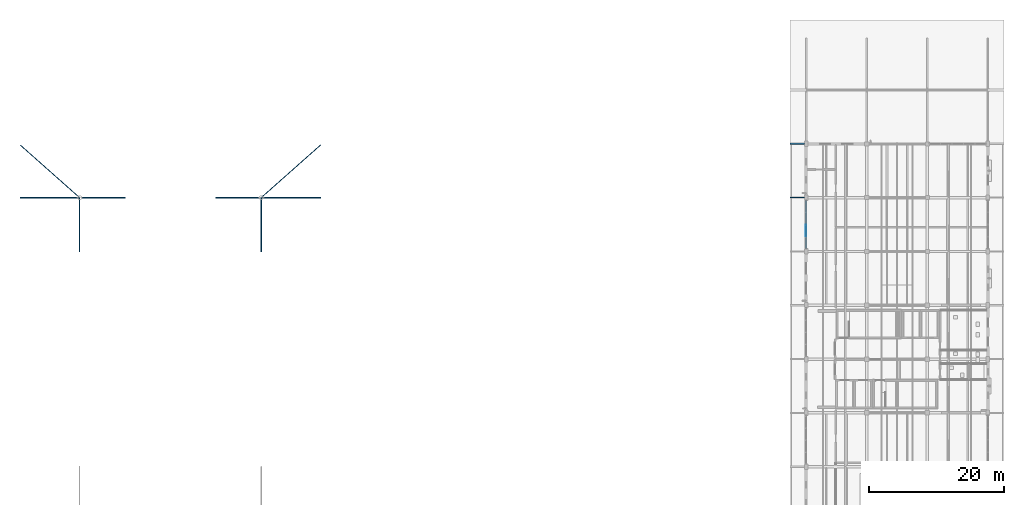
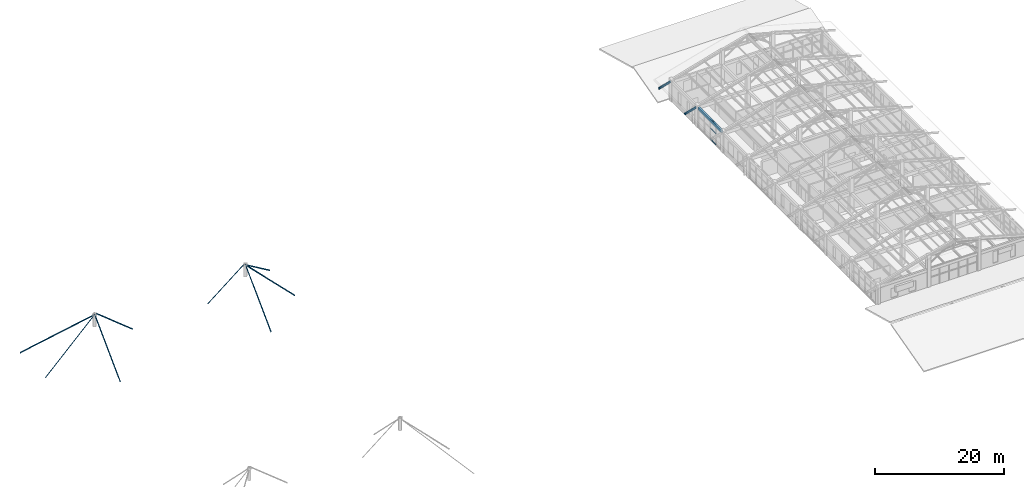
# One storey, part 24 of 58: 11 members, 3 beams, 1 element without a shape of its own.
"""IFC4 building model written with IfcOpenShell, lengths in metres."""

from ifc_helpers import new_model, si_unit, derived_unit, direction, frame, origin, origin_2d, place, context, subcontext, project, spatial, rectangle, hollow_rectangle, hollow_circle, i_section, extrude, material, material_profile, profile_set, type_object, element, aggregate, save


model = new_model("IFC4")

# Units and contexts
model_context = context("Model", 3, precision=1e-05, world=origin(), true_north=direction((0.0, 1.0)))
body_context = subcontext(model_context, "Body", "Model", "MODEL_VIEW")
ifc_project = project(units=[si_unit("LENGTHUNIT", "METRE"), si_unit("AREAUNIT", "SQUARE_METRE"), si_unit("VOLUMEUNIT", "CUBIC_METRE"), si_unit("PLANEANGLEUNIT", "RADIAN"), si_unit("MASSUNIT", "GRAM", prefix="KILO"), derived_unit("THERMALTRANSMITTANCEUNIT", [(si_unit("MASSUNIT", "GRAM", prefix="KILO"), 1), (si_unit("TIMEUNIT", "SECOND"), -3), (si_unit("THERMODYNAMICTEMPERATUREUNIT", "KELVIN"), -1)])], contexts=[model_context])

# Site, building, storey
site_placement = place(None, origin())
site = spatial("IfcSite", under=ifc_project, at=site_placement, CompositionType="ELEMENT")
building_placement = place(site_placement, origin())
building = spatial("IfcBuilding", under=site, at=building_placement, Name="Zhenchuan Archway Interchange", CompositionType="ELEMENT")
storey_placement = place(building_placement, frame((0.0, 0.0, 22.800048828125)))
storey = spatial("IfcBuildingStorey", under=building, at=storey_placement, Name="L05", CompositionType="ELEMENT", Elevation=22.800048828125)

# Beams
ifc_material_1 = material(Name="Steel Q355", Category="steel")
ifc_material_profile_1 = material_profile(ifc_material_1, i_section(OverallWidth=0.175048828125, OverallDepth=0.35009765625, WebThickness=0.007080078125, FlangeThickness=0.010986328125, FilletRadius=0.013916015625, at=origin_2d()), Name="HN 350x175")
ifc_profile_set_1 = profile_set([ifc_material_profile_1], Name="Steel Q355")
beam_type_1 = type_object("IfcBeamType", Name="BM_STL_EAVE_HN350", PredefinedType="BEAM", material=ifc_profile_set_1)
for number, where, z_axis, x_axis, name in (
    (1, (143.820068359375, 80.0, 3.719970703125), (-0.963829493521, 0.0, -0.266519619201), (0.0, -1.0, 0.0), "Command wing west storm-eave bracket T8"),
    (2, (143.820068359375, 88.0, 3.719970703125), (-0.963829493521, 0.0, -0.266519619201), (0.0, -1.0, 0.0), "Command wing west storm-eave bracket T9"),
):
    element("IfcBeam", number, at=place(storey_placement, frame(where, z_axis=z_axis, x_axis=x_axis)), inside=storey, type_object=beam_type_1, Name=name, PredefinedType="BEAM", context=body_context, shape_type="SweptSolid", body=[
        extrude(i_section(OverallWidth=0.175048828125, OverallDepth=0.35009765625, WebThickness=0.007080078125, FlangeThickness=0.010986328125, FilletRadius=0.013916015625, at=origin_2d()), origin(), (0.0, 0.0, 1.0), 2.251708984375),
    ])

# Curtain wall, members
ifc_material_2 = material(Name="Anodised Aluminium", Category="aluminium")
curtain_wall_type = type_object("IfcCurtainWallType", Name="CW_UNIT_1", PredefinedType="NOTDEFINED", material=ifc_material_2)
curtain_wall_placement = place(storey_placement, origin())
curtain_wall = element("IfcCurtainWall", 3, at=curtain_wall_placement, inside=storey, type_object=curtain_wall_type, Name="Unitised curtain wall CW:L05:204", PredefinedType="NOTDEFINED")
ifc_material_profile_2 = material_profile(ifc_material_2, hollow_rectangle(XDim=0.06005859375, YDim=0.139892578125, WallThickness=0.00341796875, InnerFilletRadius=0.00341796875, OuterFilletRadius=0.007080078125, at=origin_2d()), Name="ALU 140x60x3.5")
ifc_profile_set_2 = profile_set([ifc_material_profile_2], Name="Anodised Aluminium")
member_type_1 = type_object("IfcMemberType", Name="CW_TRN_140", PredefinedType="USERDEFINED", material=ifc_profile_set_2)
member_1_placement = place(storey_placement, frame((144.0, 74.243896484375, 0.06005859375), z_axis=(0.0, 1.0, 0.0), x_axis=(-1.0, 0.0, 0.0)))
member_1 = element("IfcMember", 4, at=member_1_placement, type_object=member_type_1, Name="CW:L05:204 transom 1-1", ObjectType="TRANSOM", PredefinedType="USERDEFINED", context=body_context, shape_type="SweptSolid", body=[
    extrude(hollow_rectangle(XDim=0.06005859375, YDim=0.139892578125, WallThickness=0.00341796875, InnerFilletRadius=0.00341796875, OuterFilletRadius=0.007080078125, at=origin_2d()), origin(), (0.0, 0.0, 1.0), 1.696044921875),
])
member_2_placement = place(storey_placement, frame((144.0, 74.243896484375, 2.14501953125), z_axis=(0.0, 1.0, 0.0), x_axis=(-1.0, 0.0, 0.0)))
member_2 = element("IfcMember", 5, at=member_2_placement, type_object=member_type_1, Name="CW:L05:204 transom 1-2", ObjectType="TRANSOM", PredefinedType="USERDEFINED", context=body_context, shape_type="SweptSolid", body=[
    extrude(hollow_rectangle(XDim=0.06005859375, YDim=0.139892578125, WallThickness=0.00341796875, InnerFilletRadius=0.00341796875, OuterFilletRadius=0.007080078125, at=origin_2d()), origin(), (0.0, 0.0, 1.0), 1.696044921875),
])
member_3_placement = place(storey_placement, frame((144.0, 74.243896484375, 3.83984375), z_axis=(0.0, 1.0, 0.0), x_axis=(-1.0, 0.0, 0.0)))
member_3 = element("IfcMember", 6, at=member_3_placement, type_object=member_type_1, Name="CW:L05:204 transom 1-3", ObjectType="TRANSOM", PredefinedType="USERDEFINED", context=body_context, shape_type="SweptSolid", body=[
    extrude(hollow_rectangle(XDim=0.06005859375, YDim=0.139892578125, WallThickness=0.00341796875, InnerFilletRadius=0.00341796875, OuterFilletRadius=0.007080078125, at=origin_2d()), origin(), (0.0, 0.0, 1.0), 1.696044921875),
])
aggregate(curtain_wall, [member_1, member_2, member_3])

# Members
ifc_material_3 = material(Name="Steel Q390", Category="steel")
ifc_material_profile_3 = material_profile(ifc_material_3, hollow_circle(Radius=0.056884765625, WallThickness=0.006103515625, at=origin_2d()), Name="CHS 114x6")
ifc_profile_set_3 = profile_set([ifc_material_profile_3], Name="Steel Q390")
member_type_2 = type_object("IfcMemberType", Name="MB_CBL_CHS114", PredefinedType="USERDEFINED", material=ifc_profile_set_3)
for number, where, z_axis, x_axis, name in (
    (7, (36.0, 80.0, 2.25), (0.0, -0.708435144191, -0.705775918033), (1.0, 0.0, 0.0), "CONCOURSE ROOF CABLE longitudinal mast stay NW"),
    (8, (63.0, 80.0, 2.25), (0.0, -0.708435144191, -0.705775918033), (1.0, 0.0, 0.0), "CONCOURSE ROOF CABLE longitudinal mast stay NE"),
):
    element("IfcMember", number, at=place(storey_placement, frame(where, z_axis=z_axis, x_axis=x_axis)), inside=storey, type_object=member_type_2, Name=name, ObjectType="CABLE", PredefinedType="USERDEFINED", context=body_context, shape_type="SweptSolid", body=[
        extrude(hollow_circle(Radius=0.056884765625, WallThickness=0.006103515625, at=origin_2d()), origin(), (0.0, 0.0, 1.0), 11.29248046875),
    ])
ifc_material_profile_4 = material_profile(ifc_material_3, hollow_circle(Radius=0.070068359375, WallThickness=0.008056640625, at=origin_2d()), Name="CHS 140x8")
ifc_profile_set_4 = profile_set([ifc_material_profile_4], Name="Steel Q390")
member_type_3 = type_object("IfcMemberType", Name="MB_CBL_CHS140", PredefinedType="USERDEFINED", material=ifc_profile_set_4)
for number, where, z_axis, x_axis, name in (
    (9, (36.0, 80.0, 2.14990234375), (-0.597935479186, 0.529988642655, -0.601319550146), (-0.663307778563, -0.748346705009, 0.0), "CONCOURSE ROOF CABLE mast back-stay NW"),
    (10, (63.0, 80.0, 2.14990234375), (0.597935479186, 0.529988642655, -0.601319550146), (-0.663307778563, 0.748346705009, 0.0), "CONCOURSE ROOF CABLE mast back-stay NE"),
):
    element("IfcMember", number, at=place(storey_placement, frame(where, z_axis=z_axis, x_axis=x_axis)), inside=storey, type_object=member_type_3, Name=name, ObjectType="CABLE", PredefinedType="USERDEFINED", context=body_context, shape_type="SweptSolid", body=[
        extrude(hollow_circle(Radius=0.070068359375, WallThickness=0.008056640625, at=origin_2d()), origin(), (0.0, 0.0, 1.0), 14.71728515625),
    ])
for number, where, z_axis, x_axis, name in (
    (11, (36.0, 80.0, 2.14990234375), (-0.705108652287, 0.0, -0.709099279699), (0.0, -1.0, 0.0), "CONCOURSE ROOF CABLE mast back-stay NW-W"),
    (12, (63.0, 80.0, 2.14990234375), (0.705108652287, 0.0, -0.709099279699), (0.0, 1.0, 0.0), "CONCOURSE ROOF CABLE mast back-stay NE-E"),
):
    element("IfcMember", number, at=place(storey_placement, frame(where, z_axis=z_axis, x_axis=x_axis)), inside=storey, type_object=member_type_3, Name=name, ObjectType="CABLE", PredefinedType="USERDEFINED", context=body_context, shape_type="SweptSolid", body=[
        extrude(hollow_circle(Radius=0.070068359375, WallThickness=0.008056640625, at=origin_2d()), origin(), (0.0, 0.0, 1.0), 12.48046875),
    ])
for number, where, z_axis, x_axis, name in (
    (13, (36.320068359375, 80.0, 2.25), (0.779316169086, 0.0, -0.626630918963), (0.0, 1.0, 0.0), "CONCOURSE ROOF CABLE mast suspension forestay NW"),
    (14, (62.679931640625, 80.0, 2.25), (-0.779316169086, 0.0, -0.626630918963), (0.0, -1.0, 0.0), "CONCOURSE ROOF CABLE mast suspension forestay NE"),
):
    element("IfcMember", number, at=place(storey_placement, frame(where, z_axis=z_axis, x_axis=x_axis)), inside=storey, type_object=member_type_3, Name=name, ObjectType="CABLE", PredefinedType="USERDEFINED", context=body_context, shape_type="SweptSolid", body=[
        extrude(hollow_circle(Radius=0.070068359375, WallThickness=0.008056640625, at=origin_2d()), origin(), (0.0, 0.0, 1.0), 8.250732421875),
    ])

# Beam
ifc_material_4 = material(Name="Concrete C40", Category="concrete")
ifc_material_profile_5 = material_profile(ifc_material_4, rectangle(XDim=0.300048828125, YDim=0.5, at=origin_2d()), Name="RC 300x500")
ifc_profile_set_5 = profile_set([ifc_material_profile_5], Name="Concrete C40")
beam_type_2 = type_object("IfcBeamType", Name="SP_RC_300x500", PredefinedType="SPANDREL", material=ifc_profile_set_5)
beam_placement = place(storey_placement, frame((144.0, 72.39990234375, 3.669921875), z_axis=(0.0, 1.0, 0.0), x_axis=(-1.0, 0.0, 0.0)))
element("IfcBeam", 15, at=beam_placement, inside=storey, type_object=beam_type_2, Name="Beam 17:K-L (L05)", PredefinedType="SPANDREL", context=body_context, shape_type="SweptSolid", body=[
    extrude(rectangle(XDim=0.300048828125, YDim=0.5, at=origin_2d()), origin(), (0.0, 0.0, 1.0), 7.2001953125),
])

save(model, "model.ifc")
